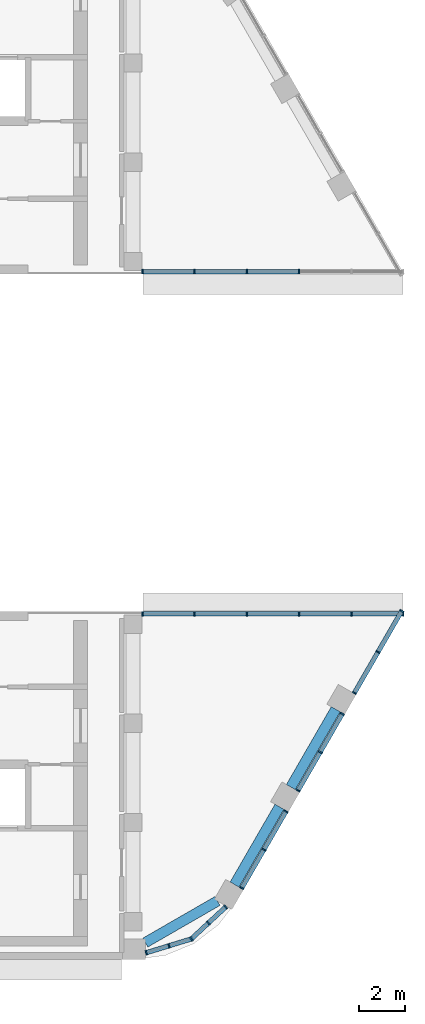
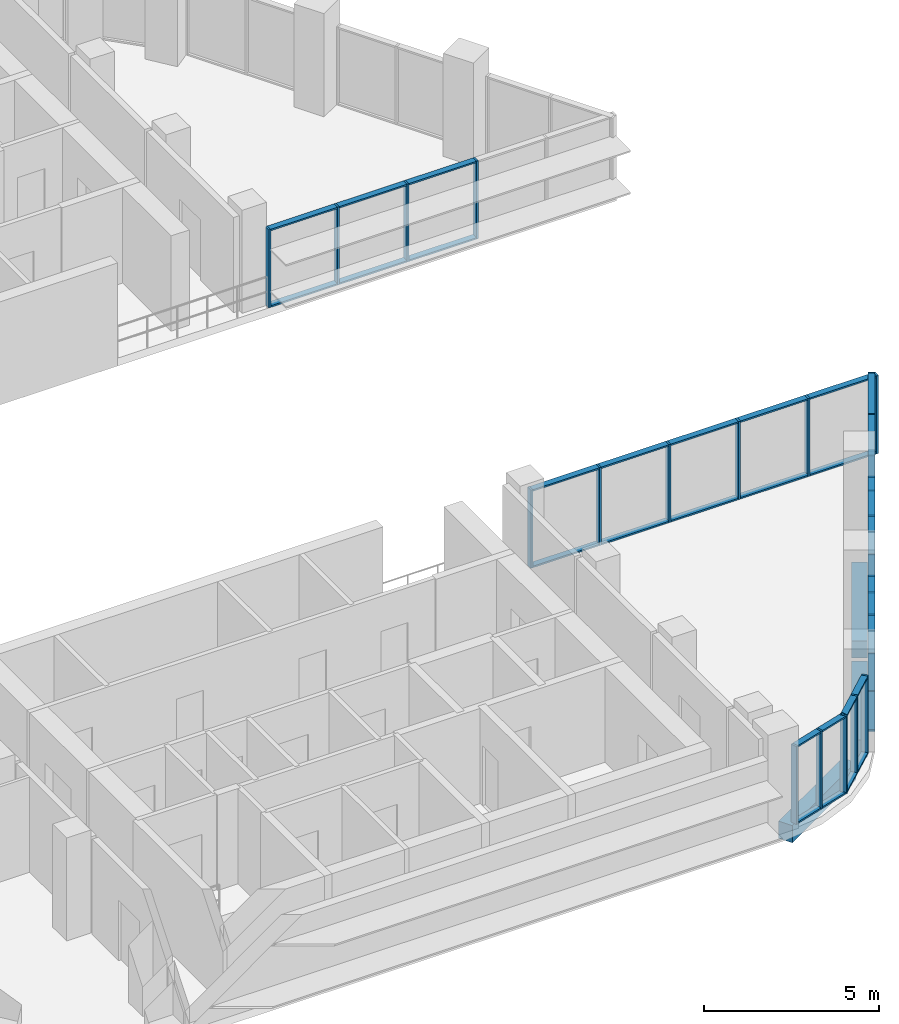
# One storey, part 3 of 13: 61 members, 3 beams, 7 elements without a shape of their own.
"""IFC4 building model written with IfcOpenShell, lengths in metres."""

from ifc_helpers import new_model, si_unit, direction, frame, origin, origin_2d, place, context, subcontext, project, spatial, rectangle, extrude, material, layer, layer_set, material_profile, profile_set, type_object, element, aggregate, save


model = new_model("IFC4")

# Units and contexts
model_context = context("Model", 3, precision=1e-05, world=origin(), true_north=direction((0.0, 1.0)))
body_context = subcontext(model_context, "Body", "Model", "MODEL_VIEW")
ifc_project = project(units=[si_unit("LENGTHUNIT", "METRE"), si_unit("AREAUNIT", "SQUARE_METRE"), si_unit("VOLUMEUNIT", "CUBIC_METRE"), si_unit("PLANEANGLEUNIT", "RADIAN"), si_unit("MASSUNIT", "GRAM", prefix="KILO")], contexts=[model_context])

# Site, building, storey
site_placement = place(None, origin())
site = spatial("IfcSite", under=ifc_project, at=site_placement, CompositionType="ELEMENT")
building_placement = place(site_placement, origin())
building = spatial("IfcBuilding", under=site, at=building_placement, Name="Nakaniwa Court", CompositionType="ELEMENT")
storey_placement = place(building_placement, frame((0.0, 0.0, 286.800048828125)))
storey = spatial("IfcBuildingStorey", under=building, at=storey_placement, Name="C05", CompositionType="ELEMENT", Elevation=286.800048828125)

# Beams
ifc_material_1 = material(Name="Concrete C80/100", Category="concrete")
ifc_material_profile_1 = material_profile(ifc_material_1, rectangle(XDim=0.449951171875, YDim=0.60009765625, at=origin_2d()), Name="Concrete C80/100 RC 450x600 spandrel beam")
ifc_profile_set_1 = profile_set([ifc_material_profile_1], Name="Concrete C80/100")
beam_type = type_object("IfcBeamType", Name="Concrete C80/100 RC 450x600 spandrel beam", PredefinedType="BEAM", material=ifc_profile_set_1)
beam_placement = place(storey_placement, frame((90.53955078125, 58.08837890625, -0.574951171875), z_axis=(0.866335820263, 0.49946195704, 0.0), x_axis=(-0.49946195704, 0.866335820263, 0.0)))
element("IfcBeam", 1, at=beam_placement, inside=storey, type_object=beam_type, Name="SPANDREL BEAM", PredefinedType="BEAM", context=body_context, shape_type="SweptSolid", body=[
    extrude(rectangle(XDim=0.449951171875, YDim=0.60009765625, at=origin_2d()), origin(), (0.0, 0.0, 1.0), 3.6513671875),
])
for number, where, z_axis, x_axis, name in (
    (2, (94.453125, 60.633544921875, -0.574951171875), (0.499974795965, 0.866039954852, 0.0), (-0.866039954852, 0.499974795965, 0.0), "SPANDREL BEAM"),
    (3, (96.921142578125, 64.908447265625, -0.574951171875), (0.500021313302, 0.866013098194, 0.0), (-0.866013098194, 0.500021313302, 0.0), "SPANDREL BEAM"),
):
    element("IfcBeam", number, at=place(storey_placement, frame(where, z_axis=z_axis, x_axis=x_axis)), inside=storey, type_object=beam_type, Name=name, PredefinedType="BEAM", context=body_context, shape_type="SweptSolid", body=[
        extrude(rectangle(XDim=0.449951171875, YDim=0.60009765625, at=origin_2d()), origin(), (0.0, 0.0, 1.0), 3.936279296875),
    ])

# Curtain wall, members
ifc_material_2 = material(Name="Black anodised aluminium frame with dark low-E laminated double glazing", Category="aluminium")
ifc_layer = layer(ifc_material_2, 0.199951171875)
ifc_layer_set = layer_set([ifc_layer], Name="Black anodised aluminium frame with dark low-E laminated double glazing")
curtain_wall_type = type_object("IfcCurtainWallType", Name="Crown curtain wall", PredefinedType="NOTDEFINED", material=ifc_layer_set)
curtain_wall_1_placement = place(storey_placement, origin())
curtain_wall_1 = element("IfcCurtainWall", 4, at=curtain_wall_1_placement, inside=storey, type_object=curtain_wall_type, Name="C05 curtain wall CW4 00", PredefinedType="NOTDEFINED")
ifc_material_3 = material(Name="Black anodised aluminium extrusion", Category="aluminium")
ifc_material_profile_2 = material_profile(ifc_material_3, rectangle(XDim=0.199951171875, YDim=0.06494140625, at=origin_2d()), Name="Crown curtain wall mullion 65x200")
ifc_profile_set_2 = profile_set([ifc_material_profile_2], Name="Black anodised aluminium extrusion")
member_type_1 = type_object("IfcMemberType", Name="Crown curtain wall mullion 65x200", PredefinedType="MULLION", material=ifc_profile_set_2)
member_1_placement = place(storey_placement, frame((94.7705078125, 60.483154296875, 0.0), z_axis=(0.0, 0.0, 1.0), x_axis=(-0.866033174523, 0.499986540445, 0.0)))
member_1 = element("IfcMember", 5, at=member_1_placement, type_object=member_type_1, Name="CW4 mullion 1", PredefinedType="MULLION", context=body_context, shape_type="SweptSolid", body=[
    extrude(rectangle(XDim=0.199951171875, YDim=0.06494140625, at=origin_2d()), origin(), (0.0, 0.0, 1.0), 2.724853515625),
])
member_2_placement = place(storey_placement, frame((95.740234375, 62.162841796875, 0.0), z_axis=(0.0, 0.0, 1.0), x_axis=(-0.866033174523, 0.499986540445, 0.0)))
member_2 = element("IfcMember", 6, at=member_2_placement, type_object=member_type_1, Name="CW4 mullion 2", PredefinedType="MULLION", context=body_context, shape_type="SweptSolid", body=[
    extrude(rectangle(XDim=0.199951171875, YDim=0.06494140625, at=origin_2d()), origin(), (0.0, 0.0, 1.0), 2.724853515625),
])
member_3_placement = place(storey_placement, frame((96.7099609375, 63.8427734375, 0.0), z_axis=(0.0, 0.0, 1.0), x_axis=(-0.866033174523, 0.499986540445, 0.0)))
member_3 = element("IfcMember", 7, at=member_3_placement, type_object=member_type_1, Name="CW4 mullion 3", PredefinedType="MULLION", context=body_context, shape_type="SweptSolid", body=[
    extrude(rectangle(XDim=0.199951171875, YDim=0.06494140625, at=origin_2d()), origin(), (0.0, 0.0, 1.0), 2.724853515625),
])

curtain_wall_2_placement = place(storey_placement, origin())
curtain_wall_2 = element("IfcCurtainWall", 8, at=curtain_wall_2_placement, inside=storey, type_object=curtain_wall_type, Name="C05 curtain wall CW4 01", PredefinedType="NOTDEFINED")
member_4_placement = place(storey_placement, frame((97.238525390625, 64.758056640625, 0.0), z_axis=(0.0, 0.0, 1.0), x_axis=(-0.866033174523, 0.499986540445, 0.0)))
member_4 = element("IfcMember", 9, at=member_4_placement, type_object=member_type_1, Name="CW4 mullion 1", PredefinedType="MULLION", context=body_context, shape_type="SweptSolid", body=[
    extrude(rectangle(XDim=0.199951171875, YDim=0.06494140625, at=origin_2d()), origin(), (0.0, 0.0, 1.0), 2.724853515625),
])
member_5_placement = place(storey_placement, frame((98.208251953125, 66.437744140625, 0.0), z_axis=(0.0, 0.0, 1.0), x_axis=(-0.866033174523, 0.499986540445, 0.0)))
member_5 = element("IfcMember", 10, at=member_5_placement, type_object=member_type_1, Name="CW4 mullion 2", PredefinedType="MULLION", context=body_context, shape_type="SweptSolid", body=[
    extrude(rectangle(XDim=0.199951171875, YDim=0.06494140625, at=origin_2d()), origin(), (0.0, 0.0, 1.0), 2.724853515625),
])
member_6_placement = place(storey_placement, frame((99.17822265625, 68.11767578125, 0.0), z_axis=(0.0, 0.0, 1.0), x_axis=(-0.866033174523, 0.499986540445, 0.0)))
member_6 = element("IfcMember", 11, at=member_6_placement, type_object=member_type_1, Name="CW4 mullion 3", PredefinedType="MULLION", context=body_context, shape_type="SweptSolid", body=[
    extrude(rectangle(XDim=0.199951171875, YDim=0.06494140625, at=origin_2d()), origin(), (0.0, 0.0, 1.0), 2.724853515625),
])

curtain_wall_3_placement = place(storey_placement, origin())
curtain_wall_3 = element("IfcCurtainWall", 12, at=curtain_wall_3_placement, inside=storey, type_object=curtain_wall_type, Name="C05 curtain wall CW4 02", PredefinedType="NOTDEFINED")
member_7_placement = place(storey_placement, frame((99.70654296875, 69.032958984375, 0.0), z_axis=(0.0, 0.0, 1.0), x_axis=(-0.866021000852, 0.500007626024, 0.0)))
member_7 = element("IfcMember", 13, at=member_7_placement, type_object=member_type_1, Name="CW4 mullion 1", PredefinedType="MULLION", context=body_context, shape_type="SweptSolid", body=[
    extrude(rectangle(XDim=0.199951171875, YDim=0.06494140625, at=origin_2d()), origin(), (0.0, 0.0, 1.0), 2.724853515625),
])
member_8_placement = place(storey_placement, frame((100.74267578125, 70.827392578125, 0.0), z_axis=(0.0, 0.0, 1.0), x_axis=(-0.866021000852, 0.500007626024, 0.0)))
member_8 = element("IfcMember", 14, at=member_8_placement, type_object=member_type_1, Name="CW4 mullion 2", PredefinedType="MULLION", context=body_context, shape_type="SweptSolid", body=[
    extrude(rectangle(XDim=0.199951171875, YDim=0.06494140625, at=origin_2d()), origin(), (0.0, 0.0, 1.0), 2.724853515625),
])
member_9_placement = place(storey_placement, frame((101.77880859375, 72.621826171875, 0.0), z_axis=(0.0, 0.0, 1.0), x_axis=(-0.866021000852, 0.500007626024, 0.0)))
member_9 = element("IfcMember", 15, at=member_9_placement, type_object=member_type_1, Name="CW4 mullion 3", PredefinedType="MULLION", context=body_context, shape_type="SweptSolid", body=[
    extrude(rectangle(XDim=0.199951171875, YDim=0.06494140625, at=origin_2d()), origin(), (0.0, 0.0, 1.0), 2.724853515625),
])

curtain_wall_4_placement = place(storey_placement, origin())
curtain_wall_4 = element("IfcCurtainWall", 16, at=curtain_wall_4_placement, inside=storey, type_object=curtain_wall_type, Name="C05 curtain wall CW4 03", PredefinedType="NOTDEFINED")
member_10_placement = place(storey_placement, frame((101.84912109375, 72.5, 0.0), z_axis=(0.0, 0.0, 1.0), x_axis=(0.0, -1.0, 0.0)))
member_10 = element("IfcMember", 17, at=member_10_placement, type_object=member_type_1, Name="CW4 mullion 1", PredefinedType="MULLION", context=body_context, shape_type="SweptSolid", body=[
    extrude(rectangle(XDim=0.199951171875, YDim=0.06494140625, at=origin_2d()), origin(), (0.0, 0.0, 1.0), 2.724853515625),
])
member_11_placement = place(storey_placement, frame((99.58447265625, 72.5, 0.0), z_axis=(0.0, 0.0, 1.0), x_axis=(0.0, -1.0, 0.0)))
member_11 = element("IfcMember", 18, at=member_11_placement, type_object=member_type_1, Name="CW4 mullion 2", PredefinedType="MULLION", context=body_context, shape_type="SweptSolid", body=[
    extrude(rectangle(XDim=0.199951171875, YDim=0.06494140625, at=origin_2d()), origin(), (0.0, 0.0, 1.0), 2.724853515625),
])
member_12_placement = place(storey_placement, frame((97.287353515625, 72.5, 0.0), z_axis=(0.0, 0.0, 1.0), x_axis=(0.0, -1.0, 0.0)))
member_12 = element("IfcMember", 19, at=member_12_placement, type_object=member_type_1, Name="CW4 mullion 3", PredefinedType="MULLION", context=body_context, shape_type="SweptSolid", body=[
    extrude(rectangle(XDim=0.199951171875, YDim=0.06494140625, at=origin_2d()), origin(), (0.0, 0.0, 1.0), 2.724853515625),
])
member_13_placement = place(storey_placement, frame((94.990234375, 72.5, 0.0), z_axis=(0.0, 0.0, 1.0), x_axis=(0.0, -1.0, 0.0)))
member_13 = element("IfcMember", 20, at=member_13_placement, type_object=member_type_1, Name="CW4 mullion 4", PredefinedType="MULLION", context=body_context, shape_type="SweptSolid", body=[
    extrude(rectangle(XDim=0.199951171875, YDim=0.06494140625, at=origin_2d()), origin(), (0.0, 0.0, 1.0), 2.724853515625),
])
member_14_placement = place(storey_placement, frame((92.693115234375, 72.5, 0.0), z_axis=(0.0, 0.0, 1.0), x_axis=(0.0, -1.0, 0.0)))
member_14 = element("IfcMember", 21, at=member_14_placement, type_object=member_type_1, Name="CW4 mullion 5", PredefinedType="MULLION", context=body_context, shape_type="SweptSolid", body=[
    extrude(rectangle(XDim=0.199951171875, YDim=0.06494140625, at=origin_2d()), origin(), (0.0, 0.0, 1.0), 2.724853515625),
])
member_15_placement = place(storey_placement, frame((90.428466796875, 72.5, 0.0), z_axis=(0.0, 0.0, 1.0), x_axis=(0.0, -1.0, 0.0)))
member_15 = element("IfcMember", 22, at=member_15_placement, type_object=member_type_1, Name="CW4 mullion 6", PredefinedType="MULLION", context=body_context, shape_type="SweptSolid", body=[
    extrude(rectangle(XDim=0.199951171875, YDim=0.06494140625, at=origin_2d()), origin(), (0.0, 0.0, 1.0), 2.724853515625),
])

curtain_wall_5_placement = place(storey_placement, origin())
curtain_wall_5 = element("IfcCurtainWall", 23, at=curtain_wall_5_placement, inside=storey, type_object=curtain_wall_type, Name="C05 curtain wall CW4 11", PredefinedType="NOTDEFINED")
member_16_placement = place(storey_placement, frame((90.58154296875, 57.644775390625, 0.0), z_axis=(0.0, 0.0, 1.0), x_axis=(-0.293060253821, 0.956093974267, 0.0)))
member_16 = element("IfcMember", 24, at=member_16_placement, type_object=member_type_1, Name="CW4 mullion 1", PredefinedType="MULLION", context=body_context, shape_type="SweptSolid", body=[
    extrude(rectangle(XDim=0.199951171875, YDim=0.06494140625, at=origin_2d()), origin(), (0.0, 0.0, 1.0), 2.724853515625),
])
member_17_placement = place(storey_placement, frame((91.5791015625, 57.950439453125, 0.0), z_axis=(0.0, 0.0, 1.0), x_axis=(-0.293060253821, 0.956093974267, 0.0)))
member_17 = element("IfcMember", 25, at=member_17_placement, type_object=member_type_1, Name="CW4 mullion 2", PredefinedType="MULLION", context=body_context, shape_type="SweptSolid", body=[
    extrude(rectangle(XDim=0.199951171875, YDim=0.06494140625, at=origin_2d()), origin(), (0.0, 0.0, 1.0), 2.724853515625),
])
member_18_placement = place(storey_placement, frame((92.57666015625, 58.25634765625, 0.0), z_axis=(0.0, 0.0, 1.0), x_axis=(-0.293060253821, 0.956093974267, 0.0)))
member_18 = element("IfcMember", 26, at=member_18_placement, type_object=member_type_1, Name="CW4 mullion 3", PredefinedType="MULLION", context=body_context, shape_type="SweptSolid", body=[
    extrude(rectangle(XDim=0.199951171875, YDim=0.06494140625, at=origin_2d()), origin(), (0.0, 0.0, 1.0), 2.724853515625),
])

curtain_wall_6_placement = place(storey_placement, origin())
curtain_wall_6 = element("IfcCurtainWall", 27, at=curtain_wall_6_placement, inside=storey, type_object=curtain_wall_type, Name="C05 curtain wall CW4 12", PredefinedType="NOTDEFINED")
member_19_placement = place(storey_placement, frame((92.54296875, 58.236083984375, 0.0), z_axis=(0.0, 0.0, 1.0), x_axis=(-0.681181788002, 0.732114316001, 0.0)))
member_19 = element("IfcMember", 28, at=member_19_placement, type_object=member_type_1, Name="CW4 mullion 1", PredefinedType="MULLION", context=body_context, shape_type="SweptSolid", body=[
    extrude(rectangle(XDim=0.199951171875, YDim=0.06494140625, at=origin_2d()), origin(), (0.0, 0.0, 1.0), 2.724853515625),
])
member_20_placement = place(storey_placement, frame((93.3046875, 58.94482421875, 0.0), z_axis=(0.0, 0.0, 1.0), x_axis=(-0.681181788002, 0.732114316001, 0.0)))
member_20 = element("IfcMember", 29, at=member_20_placement, type_object=member_type_1, Name="CW4 mullion 2", PredefinedType="MULLION", context=body_context, shape_type="SweptSolid", body=[
    extrude(rectangle(XDim=0.199951171875, YDim=0.06494140625, at=origin_2d()), origin(), (0.0, 0.0, 1.0), 2.724853515625),
])
member_21_placement = place(storey_placement, frame((94.06640625, 59.653564453125, 0.0), z_axis=(0.0, 0.0, 1.0), x_axis=(-0.681181788002, 0.732114316001, 0.0)))
member_21 = element("IfcMember", 30, at=member_21_placement, type_object=member_type_1, Name="CW4 mullion 3", PredefinedType="MULLION", context=body_context, shape_type="SweptSolid", body=[
    extrude(rectangle(XDim=0.199951171875, YDim=0.06494140625, at=origin_2d()), origin(), (0.0, 0.0, 1.0), 2.724853515625),
])

curtain_wall_7_placement = place(storey_placement, origin())
curtain_wall_7 = element("IfcCurtainWall", 31, at=curtain_wall_7_placement, inside=storey, type_object=curtain_wall_type, Name="C05 curtain wall CW4 17", PredefinedType="NOTDEFINED")
member_22_placement = place(storey_placement, frame((90.428466796875, 87.5, 0.0), z_axis=(0.0, 0.0, 1.0), x_axis=(0.0, 1.0, 0.0)))
member_22 = element("IfcMember", 32, at=member_22_placement, type_object=member_type_1, Name="CW4 mullion 1", PredefinedType="MULLION", context=body_context, shape_type="SweptSolid", body=[
    extrude(rectangle(XDim=0.199951171875, YDim=0.06494140625, at=origin_2d()), origin(), (0.0, 0.0, 1.0), 2.724853515625),
])
member_23_placement = place(storey_placement, frame((92.693115234375, 87.5, 0.0), z_axis=(0.0, 0.0, 1.0), x_axis=(0.0, 1.0, 0.0)))
member_23 = element("IfcMember", 33, at=member_23_placement, type_object=member_type_1, Name="CW4 mullion 2", PredefinedType="MULLION", context=body_context, shape_type="SweptSolid", body=[
    extrude(rectangle(XDim=0.199951171875, YDim=0.06494140625, at=origin_2d()), origin(), (0.0, 0.0, 1.0), 2.724853515625),
])
member_24_placement = place(storey_placement, frame((94.990234375, 87.5, 0.0), z_axis=(0.0, 0.0, 1.0), x_axis=(0.0, 1.0, 0.0)))
member_24 = element("IfcMember", 34, at=member_24_placement, type_object=member_type_1, Name="CW4 mullion 3", PredefinedType="MULLION", context=body_context, shape_type="SweptSolid", body=[
    extrude(rectangle(XDim=0.199951171875, YDim=0.06494140625, at=origin_2d()), origin(), (0.0, 0.0, 1.0), 2.724853515625),
])
member_25_placement = place(storey_placement, frame((97.287353515625, 87.5, 0.0), z_axis=(0.0, 0.0, 1.0), x_axis=(0.0, 1.0, 0.0)))
member_25 = element("IfcMember", 35, at=member_25_placement, type_object=member_type_1, Name="CW4 mullion 4", PredefinedType="MULLION", context=body_context, shape_type="SweptSolid", body=[
    extrude(rectangle(XDim=0.199951171875, YDim=0.06494140625, at=origin_2d()), origin(), (0.0, 0.0, 1.0), 2.724853515625),
])

# Member
ifc_material_profile_3 = material_profile(ifc_material_3, rectangle(XDim=0.199951171875, YDim=0.054931640625, at=origin_2d()), Name="Crown curtain wall transom 55x200")
ifc_profile_set_3 = profile_set([ifc_material_profile_3], Name="Black anodised aluminium extrusion")
member_type_2 = type_object("IfcMemberType", Name="Crown curtain wall transom 55x200", PredefinedType="USERDEFINED", material=ifc_profile_set_3)
member_26_placement = place(storey_placement, frame((94.78662109375, 60.51123046875, 0.02734375), z_axis=(0.500060622324, 0.86599040064, 0.0), x_axis=(-0.86599040064, 0.500060622324, 0.0)))
member_26 = element("IfcMember", 36, at=member_26_placement, type_object=member_type_2, Name="CW4 transom 1.1", ObjectType="TRANSOM", PredefinedType="USERDEFINED", context=body_context, shape_type="SweptSolid", body=[
    extrude(rectangle(XDim=0.199951171875, YDim=0.054931640625, at=origin_2d()), origin(), (0.0, 0.0, 1.0), 1.874755859375),
])

member_27_placement = place(storey_placement, frame((94.78662109375, 60.51123046875, 2.697509765625), z_axis=(0.500060622324, 0.86599040064, 0.0), x_axis=(-0.86599040064, 0.500060622324, 0.0)))
member_27 = element("IfcMember", 37, at=member_27_placement, type_object=member_type_2, Name="CW4 transom 1.2", ObjectType="TRANSOM", PredefinedType="USERDEFINED", context=body_context, shape_type="SweptSolid", body=[
    extrude(rectangle(XDim=0.199951171875, YDim=0.054931640625, at=origin_2d()), origin(), (0.0, 0.0, 1.0), 1.874755859375),
])

member_28_placement = place(storey_placement, frame((95.756591796875, 62.191162109375, 0.02734375), z_axis=(0.499962952589, 0.86604679206, 0.0), x_axis=(-0.86604679206, 0.499962952589, 0.0)))
member_28 = element("IfcMember", 38, at=member_28_placement, type_object=member_type_2, Name="CW4 transom 2.1", ObjectType="TRANSOM", PredefinedType="USERDEFINED", context=body_context, shape_type="SweptSolid", body=[
    extrude(rectangle(XDim=0.199951171875, YDim=0.054931640625, at=origin_2d()), origin(), (0.0, 0.0, 1.0), 1.874755859375),
])

member_29_placement = place(storey_placement, frame((95.756591796875, 62.191162109375, 2.697509765625), z_axis=(0.499962952589, 0.86604679206, 0.0), x_axis=(-0.86604679206, 0.499962952589, 0.0)))
member_29 = element("IfcMember", 39, at=member_29_placement, type_object=member_type_2, Name="CW4 transom 2.2", ObjectType="TRANSOM", PredefinedType="USERDEFINED", context=body_context, shape_type="SweptSolid", body=[
    extrude(rectangle(XDim=0.199951171875, YDim=0.054931640625, at=origin_2d()), origin(), (0.0, 0.0, 1.0), 1.874755859375),
])

aggregate(curtain_wall_1, [member_1, member_2, member_3, member_26, member_27, member_28, member_29])

member_30_placement = place(storey_placement, frame((97.2548828125, 64.7861328125, 0.02734375), z_axis=(0.499962952589, 0.86604679206, 0.0), x_axis=(-0.86604679206, 0.499962952589, 0.0)))
member_30 = element("IfcMember", 40, at=member_30_placement, type_object=member_type_2, Name="CW4 transom 1.1", ObjectType="TRANSOM", PredefinedType="USERDEFINED", context=body_context, shape_type="SweptSolid", body=[
    extrude(rectangle(XDim=0.199951171875, YDim=0.054931640625, at=origin_2d()), origin(), (0.0, 0.0, 1.0), 1.874755859375),
])

member_31_placement = place(storey_placement, frame((97.2548828125, 64.7861328125, 2.697509765625), z_axis=(0.499962952589, 0.86604679206, 0.0), x_axis=(-0.86604679206, 0.499962952589, 0.0)))
member_31 = element("IfcMember", 41, at=member_31_placement, type_object=member_type_2, Name="CW4 transom 1.2", ObjectType="TRANSOM", PredefinedType="USERDEFINED", context=body_context, shape_type="SweptSolid", body=[
    extrude(rectangle(XDim=0.199951171875, YDim=0.054931640625, at=origin_2d()), origin(), (0.0, 0.0, 1.0), 1.874755859375),
])

member_32_placement = place(storey_placement, frame((98.224609375, 66.466064453125, 0.02734375), z_axis=(0.499962952589, 0.86604679206, 0.0), x_axis=(-0.86604679206, 0.499962952589, 0.0)))
member_32 = element("IfcMember", 42, at=member_32_placement, type_object=member_type_2, Name="CW4 transom 2.1", ObjectType="TRANSOM", PredefinedType="USERDEFINED", context=body_context, shape_type="SweptSolid", body=[
    extrude(rectangle(XDim=0.199951171875, YDim=0.054931640625, at=origin_2d()), origin(), (0.0, 0.0, 1.0), 1.874755859375),
])

member_33_placement = place(storey_placement, frame((98.224609375, 66.466064453125, 2.697509765625), z_axis=(0.499962952589, 0.86604679206, 0.0), x_axis=(-0.86604679206, 0.499962952589, 0.0)))
member_33 = element("IfcMember", 43, at=member_33_placement, type_object=member_type_2, Name="CW4 transom 2.2", ObjectType="TRANSOM", PredefinedType="USERDEFINED", context=body_context, shape_type="SweptSolid", body=[
    extrude(rectangle(XDim=0.199951171875, YDim=0.054931640625, at=origin_2d()), origin(), (0.0, 0.0, 1.0), 1.874755859375),
])

aggregate(curtain_wall_2, [member_4, member_5, member_6, member_30, member_31, member_32, member_33])

member_34_placement = place(storey_placement, frame((99.722900390625, 69.06103515625, 0.02734375), z_axis=(0.500024272756, 0.866011389449, 0.0), x_axis=(-0.866011389449, 0.500024272756, 0.0)))
member_34 = element("IfcMember", 44, at=member_34_placement, type_object=member_type_2, Name="CW4 transom 1.1", ObjectType="TRANSOM", PredefinedType="USERDEFINED", context=body_context, shape_type="SweptSolid", body=[
    extrude(rectangle(XDim=0.199951171875, YDim=0.054931640625, at=origin_2d()), origin(), (0.0, 0.0, 1.0), 2.00732421875),
])

member_35_placement = place(storey_placement, frame((99.722900390625, 69.06103515625, 2.697509765625), z_axis=(0.500024272756, 0.866011389449, 0.0), x_axis=(-0.866011389449, 0.500024272756, 0.0)))
member_35 = element("IfcMember", 45, at=member_35_placement, type_object=member_type_2, Name="CW4 transom 1.2", ObjectType="TRANSOM", PredefinedType="USERDEFINED", context=body_context, shape_type="SweptSolid", body=[
    extrude(rectangle(XDim=0.199951171875, YDim=0.054931640625, at=origin_2d()), origin(), (0.0, 0.0, 1.0), 2.00732421875),
])

member_36_placement = place(storey_placement, frame((100.759033203125, 70.85546875, 0.02734375), z_axis=(0.499933044277, 0.866064057238, 0.0), x_axis=(-0.866064057238, 0.499933044277, 0.0)))
member_36 = element("IfcMember", 46, at=member_36_placement, type_object=member_type_2, Name="CW4 transom 2.1", ObjectType="TRANSOM", PredefinedType="USERDEFINED", context=body_context, shape_type="SweptSolid", body=[
    extrude(rectangle(XDim=0.199951171875, YDim=0.054931640625, at=origin_2d()), origin(), (0.0, 0.0, 1.0), 2.007080078125),
])

member_37_placement = place(storey_placement, frame((100.759033203125, 70.85546875, 2.697509765625), z_axis=(0.499933044277, 0.866064057238, 0.0), x_axis=(-0.866064057238, 0.499933044277, 0.0)))
member_37 = element("IfcMember", 47, at=member_37_placement, type_object=member_type_2, Name="CW4 transom 2.2", ObjectType="TRANSOM", PredefinedType="USERDEFINED", context=body_context, shape_type="SweptSolid", body=[
    extrude(rectangle(XDim=0.199951171875, YDim=0.054931640625, at=origin_2d()), origin(), (0.0, 0.0, 1.0), 2.007080078125),
])

aggregate(curtain_wall_3, [member_7, member_8, member_9, member_34, member_35, member_36, member_37])

member_38_placement = place(storey_placement, frame((101.816650390625, 72.5, 0.02734375), z_axis=(-1.0, 0.0, 0.0), x_axis=(0.0, -1.0, 0.0)))
member_38 = element("IfcMember", 48, at=member_38_placement, type_object=member_type_2, Name="CW4 transom 1.1", ObjectType="TRANSOM", PredefinedType="USERDEFINED", context=body_context, shape_type="SweptSolid", body=[
    extrude(rectangle(XDim=0.199951171875, YDim=0.054931640625, at=origin_2d()), origin(), (0.0, 0.0, 1.0), 2.19970703125),
])

member_39_placement = place(storey_placement, frame((101.816650390625, 72.5, 2.697509765625), z_axis=(-1.0, 0.0, 0.0), x_axis=(0.0, -1.0, 0.0)))
member_39 = element("IfcMember", 49, at=member_39_placement, type_object=member_type_2, Name="CW4 transom 1.2", ObjectType="TRANSOM", PredefinedType="USERDEFINED", context=body_context, shape_type="SweptSolid", body=[
    extrude(rectangle(XDim=0.199951171875, YDim=0.054931640625, at=origin_2d()), origin(), (0.0, 0.0, 1.0), 2.19970703125),
])

member_40_placement = place(storey_placement, frame((99.552001953125, 72.5, 0.02734375), z_axis=(-1.0, 0.0, 0.0), x_axis=(0.0, -1.0, 0.0)))
member_40 = element("IfcMember", 50, at=member_40_placement, type_object=member_type_2, Name="CW4 transom 2.1", ObjectType="TRANSOM", PredefinedType="USERDEFINED", context=body_context, shape_type="SweptSolid", body=[
    extrude(rectangle(XDim=0.199951171875, YDim=0.054931640625, at=origin_2d()), origin(), (0.0, 0.0, 1.0), 2.232177734375),
])

member_41_placement = place(storey_placement, frame((99.552001953125, 72.5, 2.697509765625), z_axis=(-1.0, 0.0, 0.0), x_axis=(0.0, -1.0, 0.0)))
member_41 = element("IfcMember", 51, at=member_41_placement, type_object=member_type_2, Name="CW4 transom 2.2", ObjectType="TRANSOM", PredefinedType="USERDEFINED", context=body_context, shape_type="SweptSolid", body=[
    extrude(rectangle(XDim=0.199951171875, YDim=0.054931640625, at=origin_2d()), origin(), (0.0, 0.0, 1.0), 2.232177734375),
])

member_42_placement = place(storey_placement, frame((97.2548828125, 72.5, 0.02734375), z_axis=(-1.0, 0.0, 0.0), x_axis=(0.0, -1.0, 0.0)))
member_42 = element("IfcMember", 52, at=member_42_placement, type_object=member_type_2, Name="CW4 transom 3.1", ObjectType="TRANSOM", PredefinedType="USERDEFINED", context=body_context, shape_type="SweptSolid", body=[
    extrude(rectangle(XDim=0.199951171875, YDim=0.054931640625, at=origin_2d()), origin(), (0.0, 0.0, 1.0), 2.232177734375),
])

member_43_placement = place(storey_placement, frame((97.2548828125, 72.5, 2.697509765625), z_axis=(-1.0, 0.0, 0.0), x_axis=(0.0, -1.0, 0.0)))
member_43 = element("IfcMember", 53, at=member_43_placement, type_object=member_type_2, Name="CW4 transom 3.2", ObjectType="TRANSOM", PredefinedType="USERDEFINED", context=body_context, shape_type="SweptSolid", body=[
    extrude(rectangle(XDim=0.199951171875, YDim=0.054931640625, at=origin_2d()), origin(), (0.0, 0.0, 1.0), 2.232177734375),
])

member_44_placement = place(storey_placement, frame((94.957763671875, 72.5, 0.02734375), z_axis=(-1.0, 0.0, 0.0), x_axis=(0.0, -1.0, 0.0)))
member_44 = element("IfcMember", 54, at=member_44_placement, type_object=member_type_2, Name="CW4 transom 4.1", ObjectType="TRANSOM", PredefinedType="USERDEFINED", context=body_context, shape_type="SweptSolid", body=[
    extrude(rectangle(XDim=0.199951171875, YDim=0.054931640625, at=origin_2d()), origin(), (0.0, 0.0, 1.0), 2.232177734375),
])

member_45_placement = place(storey_placement, frame((94.957763671875, 72.5, 2.697509765625), z_axis=(-1.0, 0.0, 0.0), x_axis=(0.0, -1.0, 0.0)))
member_45 = element("IfcMember", 55, at=member_45_placement, type_object=member_type_2, Name="CW4 transom 4.2", ObjectType="TRANSOM", PredefinedType="USERDEFINED", context=body_context, shape_type="SweptSolid", body=[
    extrude(rectangle(XDim=0.199951171875, YDim=0.054931640625, at=origin_2d()), origin(), (0.0, 0.0, 1.0), 2.232177734375),
])

member_46_placement = place(storey_placement, frame((92.66064453125, 72.5, 0.02734375), z_axis=(-1.0, 0.0, 0.0), x_axis=(0.0, -1.0, 0.0)))
member_46 = element("IfcMember", 56, at=member_46_placement, type_object=member_type_2, Name="CW4 transom 5.1", ObjectType="TRANSOM", PredefinedType="USERDEFINED", context=body_context, shape_type="SweptSolid", body=[
    extrude(rectangle(XDim=0.199951171875, YDim=0.054931640625, at=origin_2d()), origin(), (0.0, 0.0, 1.0), 2.19970703125),
])

member_47_placement = place(storey_placement, frame((92.66064453125, 72.5, 2.697509765625), z_axis=(-1.0, 0.0, 0.0), x_axis=(0.0, -1.0, 0.0)))
member_47 = element("IfcMember", 57, at=member_47_placement, type_object=member_type_2, Name="CW4 transom 5.2", ObjectType="TRANSOM", PredefinedType="USERDEFINED", context=body_context, shape_type="SweptSolid", body=[
    extrude(rectangle(XDim=0.199951171875, YDim=0.054931640625, at=origin_2d()), origin(), (0.0, 0.0, 1.0), 2.19970703125),
])

aggregate(curtain_wall_4, [member_10, member_11, member_12, member_13, member_14, member_15, member_38, member_39, member_40, member_41, member_42, member_43, member_44, member_45, member_46, member_47])

member_48_placement = place(storey_placement, frame((90.612548828125, 57.654296875, 0.02734375), z_axis=(0.956134370187, 0.292928431785, 0.0), x_axis=(-0.292928431785, 0.956134370187, 0.0)))
member_48 = element("IfcMember", 58, at=member_48_placement, type_object=member_type_2, Name="CW4 transom 1.1", ObjectType="TRANSOM", PredefinedType="USERDEFINED", context=body_context, shape_type="SweptSolid", body=[
    extrude(rectangle(XDim=0.199951171875, YDim=0.054931640625, at=origin_2d()), origin(), (0.0, 0.0, 1.0), 0.978515625),
])

member_49_placement = place(storey_placement, frame((90.612548828125, 57.654296875, 2.697509765625), z_axis=(0.956134370187, 0.292928431785, 0.0), x_axis=(-0.292928431785, 0.956134370187, 0.0)))
member_49 = element("IfcMember", 59, at=member_49_placement, type_object=member_type_2, Name="CW4 transom 1.2", ObjectType="TRANSOM", PredefinedType="USERDEFINED", context=body_context, shape_type="SweptSolid", body=[
    extrude(rectangle(XDim=0.199951171875, YDim=0.054931640625, at=origin_2d()), origin(), (0.0, 0.0, 1.0), 0.978515625),
])

member_50_placement = place(storey_placement, frame((91.610107421875, 57.9599609375, 0.02734375), z_axis=(0.956064464713, 0.293156509926, 0.0), x_axis=(-0.293156509926, 0.956064464713, 0.0)))
member_50 = element("IfcMember", 60, at=member_50_placement, type_object=member_type_2, Name="CW4 transom 2.1", ObjectType="TRANSOM", PredefinedType="USERDEFINED", context=body_context, shape_type="SweptSolid", body=[
    extrude(rectangle(XDim=0.199951171875, YDim=0.054931640625, at=origin_2d()), origin(), (0.0, 0.0, 1.0), 0.978515625),
])

member_51_placement = place(storey_placement, frame((91.610107421875, 57.9599609375, 2.697509765625), z_axis=(0.956064464713, 0.293156509926, 0.0), x_axis=(-0.293156509926, 0.956064464713, 0.0)))
member_51 = element("IfcMember", 61, at=member_51_placement, type_object=member_type_2, Name="CW4 transom 2.2", ObjectType="TRANSOM", PredefinedType="USERDEFINED", context=body_context, shape_type="SweptSolid", body=[
    extrude(rectangle(XDim=0.199951171875, YDim=0.054931640625, at=origin_2d()), origin(), (0.0, 0.0, 1.0), 0.978515625),
])

aggregate(curtain_wall_5, [member_16, member_17, member_18, member_48, member_49, member_50, member_51])

member_52_placement = place(storey_placement, frame((92.56689453125, 58.25830078125, 0.02734375), z_axis=(0.732053205607, 0.681247461765, 0.0), x_axis=(-0.681247461765, 0.732053205607, 0.0)))
member_52 = element("IfcMember", 62, at=member_52_placement, type_object=member_type_2, Name="CW4 transom 1.1", ObjectType="TRANSOM", PredefinedType="USERDEFINED", context=body_context, shape_type="SweptSolid", body=[
    extrude(rectangle(XDim=0.199951171875, YDim=0.054931640625, at=origin_2d()), origin(), (0.0, 0.0, 1.0), 0.9755859375),
])

member_53_placement = place(storey_placement, frame((92.56689453125, 58.25830078125, 2.697509765625), z_axis=(0.732053205607, 0.681247461765, 0.0), x_axis=(-0.681247461765, 0.732053205607, 0.0)))
member_53 = element("IfcMember", 63, at=member_53_placement, type_object=member_type_2, Name="CW4 transom 1.2", ObjectType="TRANSOM", PredefinedType="USERDEFINED", context=body_context, shape_type="SweptSolid", body=[
    extrude(rectangle(XDim=0.199951171875, YDim=0.054931640625, at=origin_2d()), origin(), (0.0, 0.0, 1.0), 0.9755859375),
])

member_54_placement = place(storey_placement, frame((93.32861328125, 58.967041015625, 0.02734375), z_axis=(0.732053205607, 0.681247461765, 0.0), x_axis=(-0.681247461765, 0.732053205607, 0.0)))
member_54 = element("IfcMember", 64, at=member_54_placement, type_object=member_type_2, Name="CW4 transom 2.1", ObjectType="TRANSOM", PredefinedType="USERDEFINED", context=body_context, shape_type="SweptSolid", body=[
    extrude(rectangle(XDim=0.199951171875, YDim=0.054931640625, at=origin_2d()), origin(), (0.0, 0.0, 1.0), 0.9755859375),
])

member_55_placement = place(storey_placement, frame((93.32861328125, 58.967041015625, 2.697509765625), z_axis=(0.732053205607, 0.681247461765, 0.0), x_axis=(-0.681247461765, 0.732053205607, 0.0)))
member_55 = element("IfcMember", 65, at=member_55_placement, type_object=member_type_2, Name="CW4 transom 2.2", ObjectType="TRANSOM", PredefinedType="USERDEFINED", context=body_context, shape_type="SweptSolid", body=[
    extrude(rectangle(XDim=0.199951171875, YDim=0.054931640625, at=origin_2d()), origin(), (0.0, 0.0, 1.0), 0.9755859375),
])

aggregate(curtain_wall_6, [member_19, member_20, member_21, member_52, member_53, member_54, member_55])

member_56_placement = place(storey_placement, frame((90.4609375, 87.5, 0.02734375), z_axis=(1.0, 0.0, 0.0), x_axis=(0.0, 1.0, 0.0)))
member_56 = element("IfcMember", 66, at=member_56_placement, type_object=member_type_2, Name="CW4 transom 1.1", ObjectType="TRANSOM", PredefinedType="USERDEFINED", context=body_context, shape_type="SweptSolid", body=[
    extrude(rectangle(XDim=0.199951171875, YDim=0.054931640625, at=origin_2d()), origin(), (0.0, 0.0, 1.0), 2.19970703125),
])

member_57_placement = place(storey_placement, frame((90.4609375, 87.5, 2.697509765625), z_axis=(1.0, 0.0, 0.0), x_axis=(0.0, 1.0, 0.0)))
member_57 = element("IfcMember", 67, at=member_57_placement, type_object=member_type_2, Name="CW4 transom 1.2", ObjectType="TRANSOM", PredefinedType="USERDEFINED", context=body_context, shape_type="SweptSolid", body=[
    extrude(rectangle(XDim=0.199951171875, YDim=0.054931640625, at=origin_2d()), origin(), (0.0, 0.0, 1.0), 2.19970703125),
])

member_58_placement = place(storey_placement, frame((92.7255859375, 87.5, 0.02734375), z_axis=(1.0, 0.0, 0.0), x_axis=(0.0, 1.0, 0.0)))
member_58 = element("IfcMember", 68, at=member_58_placement, type_object=member_type_2, Name="CW4 transom 2.1", ObjectType="TRANSOM", PredefinedType="USERDEFINED", context=body_context, shape_type="SweptSolid", body=[
    extrude(rectangle(XDim=0.199951171875, YDim=0.054931640625, at=origin_2d()), origin(), (0.0, 0.0, 1.0), 2.232177734375),
])

member_59_placement = place(storey_placement, frame((92.7255859375, 87.5, 2.697509765625), z_axis=(1.0, 0.0, 0.0), x_axis=(0.0, 1.0, 0.0)))
member_59 = element("IfcMember", 69, at=member_59_placement, type_object=member_type_2, Name="CW4 transom 2.2", ObjectType="TRANSOM", PredefinedType="USERDEFINED", context=body_context, shape_type="SweptSolid", body=[
    extrude(rectangle(XDim=0.199951171875, YDim=0.054931640625, at=origin_2d()), origin(), (0.0, 0.0, 1.0), 2.232177734375),
])

member_60_placement = place(storey_placement, frame((95.022705078125, 87.5, 0.02734375), z_axis=(1.0, 0.0, 0.0), x_axis=(0.0, 1.0, 0.0)))
member_60 = element("IfcMember", 70, at=member_60_placement, type_object=member_type_2, Name="CW4 transom 3.1", ObjectType="TRANSOM", PredefinedType="USERDEFINED", context=body_context, shape_type="SweptSolid", body=[
    extrude(rectangle(XDim=0.199951171875, YDim=0.054931640625, at=origin_2d()), origin(), (0.0, 0.0, 1.0), 2.232177734375),
])

member_61_placement = place(storey_placement, frame((95.022705078125, 87.5, 2.697509765625), z_axis=(1.0, 0.0, 0.0), x_axis=(0.0, 1.0, 0.0)))
member_61 = element("IfcMember", 71, at=member_61_placement, type_object=member_type_2, Name="CW4 transom 3.2", ObjectType="TRANSOM", PredefinedType="USERDEFINED", context=body_context, shape_type="SweptSolid", body=[
    extrude(rectangle(XDim=0.199951171875, YDim=0.054931640625, at=origin_2d()), origin(), (0.0, 0.0, 1.0), 2.232177734375),
])

aggregate(curtain_wall_7, [member_22, member_23, member_24, member_25, member_56, member_57, member_58, member_59, member_60, member_61])

save(model, "model.ifc")
